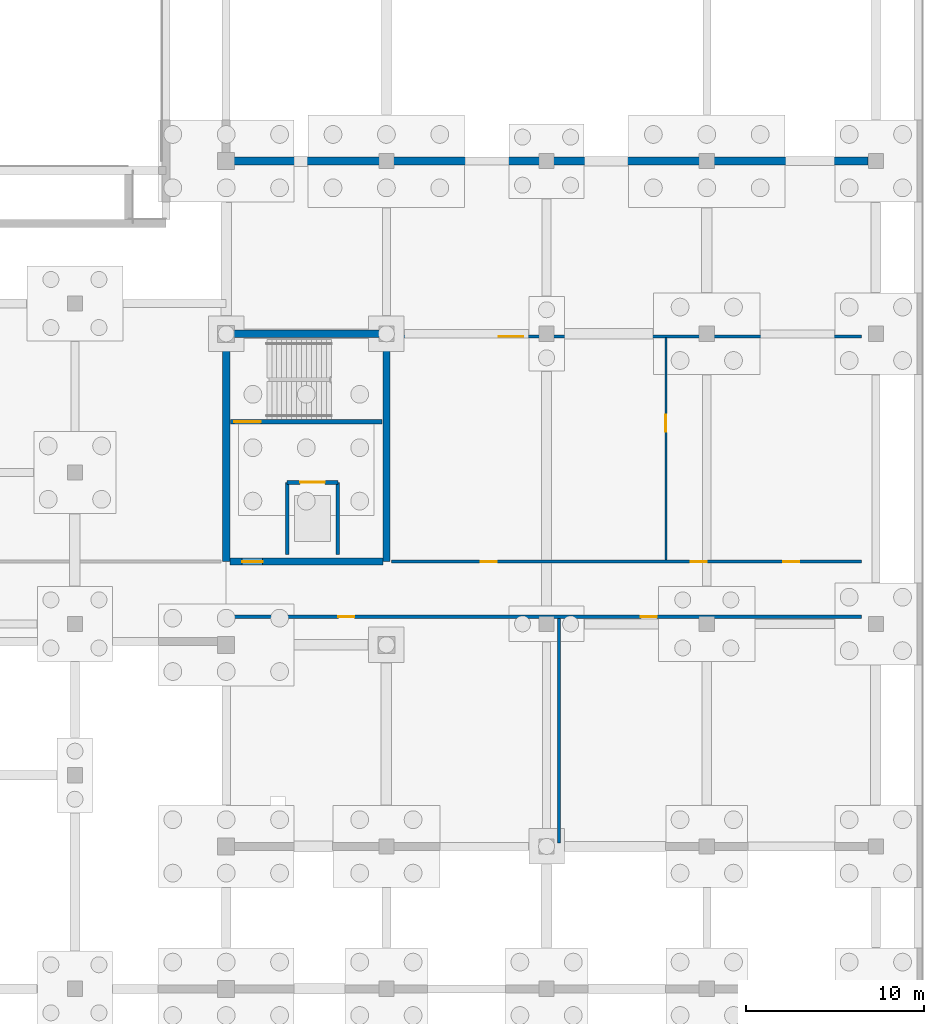
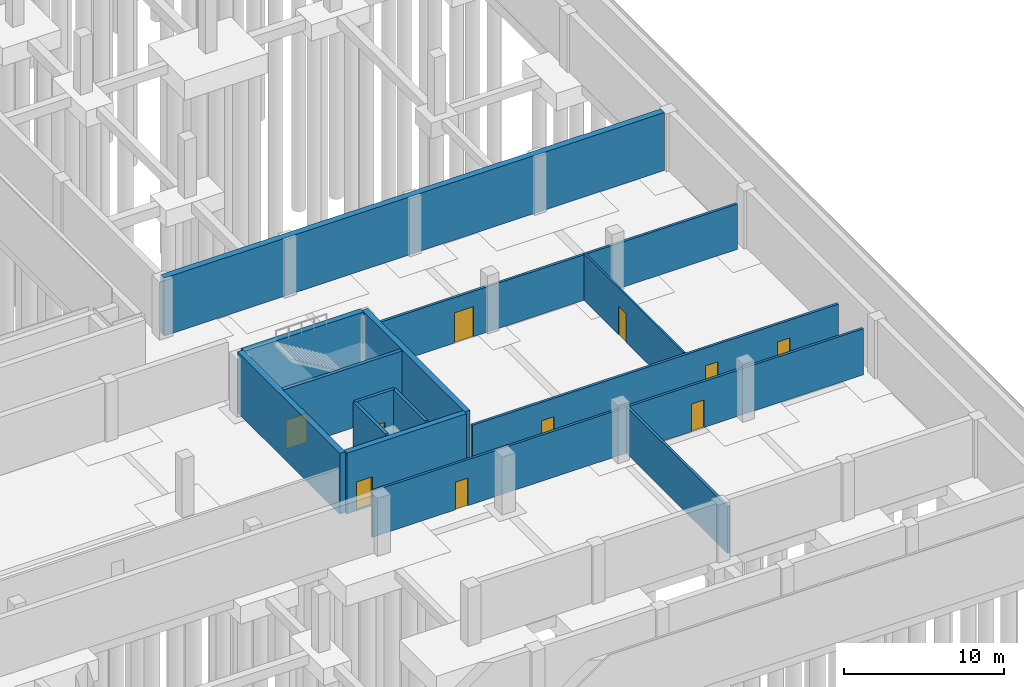
# One storey, part 15 of 25: 14 walls, 10 doors, 10 openings.
"""IFC4 building model written with IfcOpenShell, lengths in metres."""

from ifc_helpers import new_model, si_unit, direction, frame, frame_2d, origin, place, context, subcontext, project, spatial, rectangle, extrude, material, layer, layer_set, type_object, element, fill, save


model = new_model("IFC4")

# Units and contexts
model_context = context("Model", 3, precision=1e-05, world=origin(), true_north=direction((0.0, 1.0)))
body_context = subcontext(model_context, "Body", "Model", "MODEL_VIEW")
ifc_project = project(units=[si_unit("LENGTHUNIT", "METRE"), si_unit("AREAUNIT", "SQUARE_METRE"), si_unit("VOLUMEUNIT", "CUBIC_METRE"), si_unit("PLANEANGLEUNIT", "RADIAN"), si_unit("MASSUNIT", "GRAM", prefix="KILO")], contexts=[model_context])

# Site, building, storey
site_placement = place(None, origin())
site = spatial("IfcSite", under=ifc_project, at=site_placement, CompositionType="ELEMENT")
building_placement = place(site_placement, origin())
building = spatial("IfcBuilding", under=site, at=building_placement, Name="Solvikara Media Centre", CompositionType="ELEMENT")
storey_placement = place(building_placement, frame((0.0, 0.0, -4.800048828125)))
storey = spatial("IfcBuildingStorey", under=building, at=storey_placement, Name="B01", CompositionType="ELEMENT", Elevation=-4.800048828125)

# Walls
ifc_material_1 = material(Name="Concrete fc' 45 MPa (C45/55)", Category="concrete")
ifc_layer_1 = layer(ifc_material_1, 0.449951171875)
ifc_layer_set_1 = layer_set([ifc_layer_1], Name="Concrete fc' 45 MPa (C45/55)")
wall_type_1 = type_object("IfcWallType", Name="WT-01", PredefinedType="SHEAR", material=ifc_layer_set_1)
wall_1_placement = place(storey_placement, frame((127.5, 46.5, 0.0), z_axis=(0.0, 0.0, 1.0), x_axis=(1.0, 0.0, 0.0)))
element("IfcWall", 1, at=wall_1_placement, inside=storey, type_object=wall_type_1, Name="W-B01-07", PredefinedType="SHEAR", context=body_context, shape_type="SweptSolid", body=[
    extrude(rectangle(XDim=36.050048828125, YDim=0.449951171875, at=frame_2d((18.02490234375, 0.0))), origin(), (0.0, 0.0, 1.0), 4.420166015625),
])
ifc_layer_2 = layer(ifc_material_1, 0.39990234375)
ifc_layer_set_2 = layer_set([ifc_layer_2], Name="Concrete fc' 45 MPa (C45/55)")
wall_type_2 = type_object("IfcWallType", Name="WT-02", PredefinedType="SHEAR", material=ifc_layer_set_2)
for number, where, z_axis, x_axis, name in (
    (2, (127.5, 24.0, 0.0), (0.0, 0.0, 1.0), (0.0, 1.0, 0.0), "CW-C4-B01-W"),
    (3, (136.5, 24.0, 0.0), (0.0, 0.0, 1.0), (0.0, 1.0, 0.0), "CW-C4-B01-E"),
):
    element("IfcWall", number, at=place(storey_placement, frame(where, z_axis=z_axis, x_axis=x_axis)), inside=storey, type_object=wall_type_2, Name=name, PredefinedType="SHEAR", context=body_context, shape_type="SweptSolid", body=[
        extrude(rectangle(XDim=12.800048828125, YDim=0.39990234375, at=frame_2d((6.39990234375, 0.0))), origin(), (0.0, 0.0, 1.0), 4.64013671875),
    ])
wall_2_placement = place(storey_placement, frame((127.699951171875, 36.800048828125, 0.0), z_axis=(0.0, 0.0, 1.0), x_axis=(1.0, 0.0, 0.0)))
element("IfcWall", 4, at=wall_2_placement, inside=storey, type_object=wall_type_2, Name="CW-C4-B01-N", PredefinedType="SHEAR", context=body_context, shape_type="SweptSolid", body=[
    extrude(rectangle(XDim=8.60009765625, YDim=0.39990234375, at=frame_2d((4.300048828125, 0.0))), origin(), (0.0, 0.0, 1.0), 4.64013671875),
])

# Wall, opening, door
wall_3_placement = place(storey_placement, frame((127.699951171875, 24.0, 0.0), z_axis=(0.0, 0.0, 1.0), x_axis=(1.0, 0.0, 0.0)))
wall_3 = element("IfcWall", 5, at=wall_3_placement, inside=storey, type_object=wall_type_2, Name="CW-C4-B01-S", PredefinedType="SHEAR", context=body_context, shape_type="SweptSolid", body=[
    extrude(rectangle(XDim=8.60009765625, YDim=0.39990234375, at=frame_2d((4.300048828125, 0.0))), origin(), (0.0, 0.0, 1.0), 4.64013671875),
])
opening_1_placement = place(wall_3_placement, frame((0.699951171875, 0.0, 0.0)))
opening_1 = element("IfcOpeningElement", 6, at=opening_1_placement, cuts=wall_3, Name="Opening D-C4-B01-LOB", PredefinedType="OPENING", context=body_context, shape_type="SweptSolid", body=[
    extrude(rectangle(XDim=1.14990234375, YDim=2.199951171875, at=frame_2d((0.574951171875, 1.10009765625))), frame((0.0, 0.2119140625, 0.0), z_axis=(0.0, -1.0, 0.0), x_axis=(1.0, 0.0, 0.0)), (0.0, 0.0, 1.0), 0.423828125),
])
ifc_material_2 = material(Name="Insulated fire-rated steel door leaf", Category="steel")
door_type_1 = type_object("IfcDoorType", Name="DT-09", OperationType="NOTDEFINED", PredefinedType="DOOR", material=ifc_material_2)
door_1_placement = place(opening_1_placement, frame((1.14990234375, 0.0, 0.0), z_axis=(0.0, 0.0, 1.0), x_axis=(-1.0, 0.0, 0.0)))
door_1 = element("IfcDoor", 7, at=door_1_placement, inside=storey, type_object=door_type_1, Name="D-C4-B01-LOB", OperationType="SINGLE_SWING_RIGHT", OverallHeight=2.199951171875, OverallWidth=1.14990234375, PredefinedType="DOOR", context=body_context, shape_type="SweptSolid", body=[
    extrude(rectangle(XDim=1.14990234375, YDim=2.199951171875, at=frame_2d((0.574951171875, 1.10009765625))), frame((0.0, 0.02490234375, 0.0), z_axis=(0.0, -1.0, 0.0), x_axis=(1.0, 0.0, 0.0)), (0.0, 0.0, 1.0), 0.050048828125),
])
fill(opening_1, door_1)

ifc_layer_3 = layer(ifc_material_1, 0.25)
ifc_layer_set_3 = layer_set([ifc_layer_3], Name="Concrete fc' 45 MPa (C45/55)")
wall_type_3 = type_object("IfcWallType", Name="WT-07", PredefinedType="STANDARD", material=ifc_layer_set_3)
wall_4_placement = place(storey_placement, frame((127.75, 31.85009765625, 0.0), z_axis=(0.0, 0.0, 1.0), x_axis=(1.0, 0.0, 0.0)))
wall_4 = element("IfcWall", 8, at=wall_4_placement, inside=storey, type_object=wall_type_3, Name="CW-C4-B01-SD", PredefinedType="STANDARD", context=body_context, shape_type="SweptSolid", body=[
    extrude(rectangle(XDim=8.5, YDim=0.25, at=frame_2d((4.25, 0.0))), origin(), (0.0, 0.0, 1.0), 4.64013671875),
])
opening_2_placement = place(wall_4_placement, frame((0.199951171875, 0.0, 0.0)))
opening_2 = element("IfcOpeningElement", 9, at=opening_2_placement, cuts=wall_4, Name="Opening D-C4-B01-ST", PredefinedType="OPENING", context=body_context, shape_type="SweptSolid", body=[
    extrude(rectangle(XDim=1.5, YDim=2.199951171875, at=frame_2d((0.75, 1.10009765625))), frame((0.0, 0.136962890625, 0.0), z_axis=(0.0, -1.0, 0.0), x_axis=(1.0, 0.0, 0.0)), (0.0, 0.0, 1.0), 0.27392578125),
])
door_type_2 = type_object("IfcDoorType", Name="DT-08", OperationType="DOUBLE_DOOR_SINGLE_SWING", PredefinedType="DOOR", material=ifc_material_2)
door_2_placement = place(opening_2_placement, frame((1.5, 0.0, 0.0), z_axis=(0.0, 0.0, 1.0), x_axis=(-1.0, 0.0, 0.0)))
door_2 = element("IfcDoor", 10, at=door_2_placement, inside=storey, type_object=door_type_2, Name="D-C4-B01-ST", OperationType="DOUBLE_DOOR_SINGLE_SWING", OverallHeight=2.199951171875, OverallWidth=1.5, PredefinedType="DOOR", context=body_context, shape_type="SweptSolid", body=[
    extrude(rectangle(XDim=1.5, YDim=2.199951171875, at=frame_2d((0.75, 1.10009765625))), frame((0.0, 0.02490234375, 0.0), z_axis=(0.0, -1.0, 0.0), x_axis=(1.0, 0.0, 0.0)), (0.0, 0.0, 1.0), 0.050048828125),
])
fill(opening_2, door_2)

# Walls
ifc_material_3 = material(Name="Fire-rated gypsum and mineral-wool shaft wall assembly")
ifc_layer_4 = layer(ifc_material_3, 0.2099609375)
ifc_layer_set_4 = layer_set([ifc_layer_4], Name="Fire-rated gypsum and mineral-wool shaft wall assembly")
wall_type_4 = type_object("IfcWallType", Name="WT-17", PredefinedType="PARTITIONING", material=ifc_layer_set_4)
for number, where, z_axis, x_axis, name in (
    (11, (130.929931640625, 24.39990234375, 0.0), (0.0, 0.0, 1.0), (0.0, 1.0, 0.0), "LW-LF-G1-B01-W"),
    (12, (133.77001953125, 24.39990234375, 0.0), (0.0, 0.0, 1.0), (0.0, 1.0, 0.0), "LW-LF-G1-B01-E"),
):
    element("IfcWall", number, at=place(storey_placement, frame(where, z_axis=z_axis, x_axis=x_axis)), inside=storey, type_object=wall_type_4, Name=name, PredefinedType="PARTITIONING", context=body_context, shape_type="SweptSolid", body=[
        extrude(rectangle(XDim=4.050048828125, YDim=0.2099609375, at=frame_2d((2.02490234375, 0.0))), origin(), (0.0, 0.0, 1.0), 4.64013671875),
    ])

# Wall, opening, door
wall_5_placement = place(storey_placement, frame((130.929931640625, 28.449951171875, 0.0), z_axis=(0.0, 0.0, 1.0), x_axis=(1.0, 0.0, 0.0)))
wall_5 = element("IfcWall", 13, at=wall_5_placement, inside=storey, type_object=wall_type_4, Name="LW-LF-G1-B01-N", PredefinedType="PARTITIONING", context=body_context, shape_type="SweptSolid", body=[
    extrude(rectangle(XDim=2.840087890625, YDim=0.2099609375, at=frame_2d((1.419921875, 0.0))), origin(), (0.0, 0.0, 1.0), 4.64013671875),
])
opening_3_placement = place(wall_5_placement, frame((0.719970703125, 0.0, 0.0)))
opening_3 = element("IfcOpeningElement", 14, at=opening_3_placement, cuts=wall_5, Name="Opening LD-LF-G1-B01", PredefinedType="OPENING", context=body_context, shape_type="SweptSolid", body=[
    extrude(rectangle(XDim=1.39990234375, YDim=2.35009765625, at=frame_2d((0.699951171875, 1.175048828125))), frame((0.0, 0.116943359375, 0.0), z_axis=(0.0, -1.0, 0.0), x_axis=(1.0, 0.0, 0.0)), (0.0, 0.0, 1.0), 0.23388671875),
])
door_type_3 = type_object("IfcDoorType", Name="LD-03", OperationType="DOUBLE_DOOR_SLIDING", PredefinedType="DOOR", material=ifc_material_2)
door_3_placement = place(opening_3_placement, origin())
door_3 = element("IfcDoor", 15, at=door_3_placement, inside=storey, type_object=door_type_3, Name="LD-LF-G1-B01", OperationType="DOUBLE_DOOR_SLIDING", OverallHeight=2.35009765625, OverallWidth=1.39990234375, PredefinedType="DOOR", context=body_context, shape_type="SweptSolid", body=[
    extrude(rectangle(XDim=1.39990234375, YDim=2.35009765625, at=frame_2d((0.699951171875, 1.175048828125))), frame((0.0, 0.02490234375, 0.0), z_axis=(0.0, -1.0, 0.0), x_axis=(1.0, 0.0, 0.0)), (0.0, 0.0, 1.0), 0.050048828125),
])
fill(opening_3, door_3)

# Wall, openings, doors
ifc_layer_5 = layer(ifc_material_3, 0.179931640625)
ifc_layer_set_5 = layer_set([ifc_layer_5], Name="Fire-rated gypsum and mineral-wool shaft wall assembly")
wall_type_5 = type_object("IfcWallType", Name="WT-18", PredefinedType="PARTITIONING", material=ifc_layer_set_5)
wall_6_placement = place(storey_placement, frame((127.800048828125, 20.89990234375, 0.0), z_axis=(0.0, 0.0, 1.0), x_axis=(1.0, 0.0, 0.0)))
wall_6 = element("IfcWall", 16, at=wall_6_placement, inside=storey, type_object=wall_type_5, Name="PW-B01-008", PredefinedType="PARTITIONING", context=body_context, shape_type="SweptSolid", body=[
    extrude(rectangle(XDim=35.39990234375, YDim=0.179931640625, at=frame_2d((17.699951171875, 0.0))), origin(), (0.0, 0.0, 1.0), 3.510009765625),
])
opening_4_placement = place(wall_6_placement, frame((6.0, 0.0, 0.0)))
opening_4 = element("IfcOpeningElement", 17, at=opening_4_placement, cuts=wall_6, Name="Opening D-B01-008-1", PredefinedType="OPENING", context=body_context, shape_type="SweptSolid", body=[
    extrude(rectangle(XDim=0.89990234375, YDim=2.10009765625, at=frame_2d((0.449951171875, 1.050048828125))), frame((0.0, 0.10205078125, 0.0), z_axis=(0.0, -1.0, 0.0), x_axis=(1.0, 0.0, 0.0)), (0.0, 0.0, 1.0), 0.203857421875),
])
opening_5_placement = place(wall_6_placement, frame((23.0, 0.0, 0.0)))
opening_5 = element("IfcOpeningElement", 18, at=opening_5_placement, cuts=wall_6, Name="Opening D-B01-008-2", PredefinedType="OPENING", context=body_context, shape_type="SweptSolid", body=[
    extrude(rectangle(XDim=0.89990234375, YDim=2.10009765625, at=frame_2d((0.449951171875, 1.050048828125))), frame((0.0, 0.10205078125, 0.0), z_axis=(0.0, -1.0, 0.0), x_axis=(1.0, 0.0, 0.0)), (0.0, 0.0, 1.0), 0.203857421875),
])
door_type_4 = type_object("IfcDoorType", Name="DT-11", OperationType="NOTDEFINED", PredefinedType="DOOR", material=ifc_material_2)
door_4_placement = place(opening_4_placement, frame((0.89990234375, 0.0, 0.0), z_axis=(0.0, 0.0, 1.0), x_axis=(-1.0, 0.0, 0.0)))
door_4 = element("IfcDoor", 19, at=door_4_placement, inside=storey, type_object=door_type_4, Name="D-B01-008-1", OperationType="SINGLE_SWING_LEFT", OverallHeight=2.10009765625, OverallWidth=0.89990234375, PredefinedType="DOOR", context=body_context, shape_type="SweptSolid", body=[
    extrude(rectangle(XDim=0.89990234375, YDim=2.10009765625, at=frame_2d((0.449951171875, 1.050048828125))), frame((0.0, 0.02490234375, 0.0), z_axis=(0.0, -1.0, 0.0), x_axis=(1.0, 0.0, 0.0)), (0.0, 0.0, 1.0), 0.050048828125),
])
fill(opening_4, door_4)
door_5_placement = place(opening_5_placement, frame((0.89990234375, 0.0, 0.0), z_axis=(0.0, 0.0, 1.0), x_axis=(-1.0, 0.0, 0.0)))
door_5 = element("IfcDoor", 20, at=door_5_placement, inside=storey, type_object=door_type_4, Name="D-B01-008-2", OperationType="SINGLE_SWING_RIGHT", OverallHeight=2.10009765625, OverallWidth=0.89990234375, PredefinedType="DOOR", context=body_context, shape_type="SweptSolid", body=[
    extrude(rectangle(XDim=0.89990234375, YDim=2.10009765625, at=frame_2d((0.449951171875, 1.050048828125))), frame((0.0, 0.02490234375, 0.0), z_axis=(0.0, -1.0, 0.0), x_axis=(1.0, 0.0, 0.0)), (0.0, 0.0, 1.0), 0.050048828125),
])
fill(opening_5, door_5)

# Wall
wall_7_placement = place(storey_placement, frame((146.199951171875, 8.199951171875, 0.0), z_axis=(0.0, 0.0, 1.0), x_axis=(0.0, 1.0, 0.0)))
element("IfcWall", 21, at=wall_7_placement, inside=storey, type_object=wall_type_5, Name="PW-B01-009", PredefinedType="PARTITIONING", context=body_context, shape_type="SweptSolid", body=[
    extrude(rectangle(XDim=12.60009765625, YDim=0.179931640625, at=frame_2d((6.300048828125, 0.0))), origin(), (0.0, 0.0, 1.0), 3.56005859375),
])

# Wall, openings, doors
wall_8_placement = place(storey_placement, frame((136.800048828125, 24.0, 0.0), z_axis=(0.0, 0.0, 1.0), x_axis=(1.0, 0.0, 0.0)))
wall_8 = element("IfcWall", 22, at=wall_8_placement, inside=storey, type_object=wall_type_5, Name="PW-B01-010", PredefinedType="PARTITIONING", context=body_context, shape_type="SweptSolid", body=[
    extrude(rectangle(XDim=26.39990234375, YDim=0.179931640625, at=frame_2d((13.199951171875, 0.0))), origin(), (0.0, 0.0, 1.0), 3.510009765625),
])
opening_6_placement = place(wall_8_placement, frame((5.0, 0.0, 0.0)))
opening_6 = element("IfcOpeningElement", 23, at=opening_6_placement, cuts=wall_8, Name="Opening D-B01-010-1", PredefinedType="OPENING", context=body_context, shape_type="SweptSolid", body=[
    extrude(rectangle(XDim=0.89990234375, YDim=2.10009765625, at=frame_2d((0.449951171875, 1.050048828125))), frame((0.0, 0.10205078125, 0.0), z_axis=(0.0, -1.0, 0.0), x_axis=(1.0, 0.0, 0.0)), (0.0, 0.0, 1.0), 0.203857421875),
])
opening_7_placement = place(wall_8_placement, frame((16.800048828125, 0.0, 0.0)))
opening_7 = element("IfcOpeningElement", 24, at=opening_7_placement, cuts=wall_8, Name="Opening D-B01-010-2", PredefinedType="OPENING", context=body_context, shape_type="SweptSolid", body=[
    extrude(rectangle(XDim=0.89990234375, YDim=2.14990234375, at=frame_2d((0.449951171875, 1.074951171875))), frame((0.0, 0.10205078125, 0.0), z_axis=(0.0, -1.0, 0.0), x_axis=(1.0, 0.0, 0.0)), (0.0, 0.0, 1.0), 0.203857421875),
])
opening_8_placement = place(wall_8_placement, frame((22.0, 0.0, 0.0)))
opening_8 = element("IfcOpeningElement", 25, at=opening_8_placement, cuts=wall_8, Name="Opening D-B01-010-3", PredefinedType="OPENING", context=body_context, shape_type="SweptSolid", body=[
    extrude(rectangle(XDim=0.89990234375, YDim=2.14990234375, at=frame_2d((0.449951171875, 1.074951171875))), frame((0.0, 0.10205078125, 0.0), z_axis=(0.0, -1.0, 0.0), x_axis=(1.0, 0.0, 0.0)), (0.0, 0.0, 1.0), 0.203857421875),
])
door_6_placement = place(opening_6_placement, frame((0.89990234375, 0.0, 0.0), z_axis=(0.0, 0.0, 1.0), x_axis=(-1.0, 0.0, 0.0)))
door_6 = element("IfcDoor", 26, at=door_6_placement, inside=storey, type_object=door_type_4, Name="D-B01-010-1", OperationType="SINGLE_SWING_LEFT", OverallHeight=2.10009765625, OverallWidth=0.89990234375, PredefinedType="DOOR", context=body_context, shape_type="SweptSolid", body=[
    extrude(rectangle(XDim=0.89990234375, YDim=2.10009765625, at=frame_2d((0.449951171875, 1.050048828125))), frame((0.0, 0.02490234375, 0.0), z_axis=(0.0, -1.0, 0.0), x_axis=(1.0, 0.0, 0.0)), (0.0, 0.0, 1.0), 0.050048828125),
])
fill(opening_6, door_6)
ifc_material_4 = material(Name="Solid core acoustic hardwood timber", Category="wood")
door_type_5 = type_object("IfcDoorType", Name="DT-18", OperationType="NOTDEFINED", PredefinedType="DOOR", material=ifc_material_4)
door_7_placement = place(opening_7_placement, origin())
door_7 = element("IfcDoor", 27, at=door_7_placement, inside=storey, type_object=door_type_5, Name="D-B01-010-2", OperationType="SINGLE_SWING_RIGHT", OverallHeight=2.14990234375, OverallWidth=0.89990234375, PredefinedType="DOOR", context=body_context, shape_type="SweptSolid", body=[
    extrude(rectangle(XDim=0.89990234375, YDim=2.14990234375, at=frame_2d((0.449951171875, 1.074951171875))), frame((0.0, 0.02490234375, 0.0), z_axis=(0.0, -1.0, 0.0), x_axis=(1.0, 0.0, 0.0)), (0.0, 0.0, 1.0), 0.050048828125),
])
fill(opening_7, door_7)
door_8_placement = place(opening_8_placement, origin())
door_8 = element("IfcDoor", 28, at=door_8_placement, inside=storey, type_object=door_type_5, Name="D-B01-010-3", OperationType="SINGLE_SWING_LEFT", OverallHeight=2.14990234375, OverallWidth=0.89990234375, PredefinedType="DOOR", context=body_context, shape_type="SweptSolid", body=[
    extrude(rectangle(XDim=0.89990234375, YDim=2.14990234375, at=frame_2d((0.449951171875, 1.074951171875))), frame((0.0, 0.02490234375, 0.0), z_axis=(0.0, -1.0, 0.0), x_axis=(1.0, 0.0, 0.0)), (0.0, 0.0, 1.0), 0.050048828125),
])
fill(opening_8, door_8)

# Wall, opening, door
wall_9_placement = place(storey_placement, frame((136.800048828125, 36.64990234375, 0.0), z_axis=(0.0, 0.0, 1.0), x_axis=(1.0, 0.0, 0.0)))
wall_9 = element("IfcWall", 29, at=wall_9_placement, inside=storey, type_object=wall_type_5, Name="PW-B01-012", PredefinedType="PARTITIONING", context=body_context, shape_type="SweptSolid", body=[
    extrude(rectangle(XDim=26.39990234375, YDim=0.179931640625, at=frame_2d((13.199951171875, 0.0))), origin(), (0.0, 0.0, 1.0), 3.4599609375),
])
opening_9_placement = place(wall_9_placement, frame((6.0, 0.0, 0.0)))
opening_9 = element("IfcOpeningElement", 30, at=opening_9_placement, cuts=wall_9, Name="Opening D-B01-012-1", PredefinedType="OPENING", context=body_context, shape_type="SweptSolid", body=[
    extrude(rectangle(XDim=1.39990234375, YDim=2.300048828125, at=frame_2d((0.699951171875, 1.14990234375))), frame((0.0, 0.10205078125, 0.0), z_axis=(0.0, -1.0, 0.0), x_axis=(1.0, 0.0, 0.0)), (0.0, 0.0, 1.0), 0.203857421875),
])
door_type_6 = type_object("IfcDoorType", Name="DT-14", OperationType="DOUBLE_DOOR_SINGLE_SWING", PredefinedType="DOOR", material=ifc_material_2)
door_9_placement = place(opening_9_placement, origin())
door_9 = element("IfcDoor", 31, at=door_9_placement, inside=storey, type_object=door_type_6, Name="D-B01-012-1", OperationType="DOUBLE_DOOR_SINGLE_SWING", OverallHeight=2.300048828125, OverallWidth=1.39990234375, PredefinedType="DOOR", context=body_context, shape_type="SweptSolid", body=[
    extrude(rectangle(XDim=1.39990234375, YDim=2.300048828125, at=frame_2d((0.699951171875, 1.14990234375))), frame((0.0, 0.02490234375, 0.0), z_axis=(0.0, -1.0, 0.0), x_axis=(1.0, 0.0, 0.0)), (0.0, 0.0, 1.0), 0.050048828125),
])
fill(opening_9, door_9)

ifc_material_5 = material(Name="Double-stud acoustic gypsum partition assembly")
ifc_layer_6 = layer(ifc_material_5, 0.1201171875)
ifc_layer_set_6 = layer_set([ifc_layer_6], Name="Double-stud acoustic gypsum partition assembly")
wall_type_6 = type_object("IfcWallType", Name="WT-21", PredefinedType="PARTITIONING", material=ifc_layer_set_6)
wall_10_placement = place(storey_placement, frame((152.199951171875, 24.10009765625, 0.0), z_axis=(0.0, 0.0, 1.0), x_axis=(0.0, 1.0, 0.0)))
wall_10 = element("IfcWall", 32, at=wall_10_placement, inside=storey, type_object=wall_type_6, Name="PW-B01-011", PredefinedType="PARTITIONING", context=body_context, shape_type="SweptSolid", body=[
    extrude(rectangle(XDim=12.5, YDim=0.1201171875, at=frame_2d((6.25, 0.0))), origin(), (0.0, 0.0, 1.0), 3.56005859375),
])
opening_10_placement = place(wall_10_placement, frame((7.199951171875, 0.0, 0.0)))
opening_10 = element("IfcOpeningElement", 33, at=opening_10_placement, cuts=wall_10, Name="Opening D-B01-011-1", PredefinedType="OPENING", context=body_context, shape_type="SweptSolid", body=[
    extrude(rectangle(XDim=0.949951171875, YDim=2.14990234375, at=frame_2d((0.47509765625, 1.074951171875))), frame((0.0, 0.072021484375, 0.0), z_axis=(0.0, -1.0, 0.0), x_axis=(1.0, 0.0, 0.0)), (0.0, 0.0, 1.0), 0.14404296875),
])
door_type_7 = type_object("IfcDoorType", Name="DT-17", OperationType="NOTDEFINED", PredefinedType="DOOR", material=ifc_material_4)
door_10_placement = place(opening_10_placement, frame((0.949951171875, 0.0, 0.0), z_axis=(0.0, 0.0, 1.0), x_axis=(-1.0, 0.0, 0.0)))
door_10 = element("IfcDoor", 34, at=door_10_placement, inside=storey, type_object=door_type_7, Name="D-B01-011-1", OperationType="SINGLE_SWING_LEFT", OverallHeight=2.14990234375, OverallWidth=0.949951171875, PredefinedType="DOOR", context=body_context, shape_type="SweptSolid", body=[
    extrude(rectangle(XDim=0.949951171875, YDim=2.14990234375, at=frame_2d((0.47509765625, 1.074951171875))), frame((0.0, 0.02490234375, 0.0), z_axis=(0.0, -1.0, 0.0), x_axis=(1.0, 0.0, 0.0)), (0.0, 0.0, 1.0), 0.050048828125),
])
fill(opening_10, door_10)

save(model, "model.ifc")
